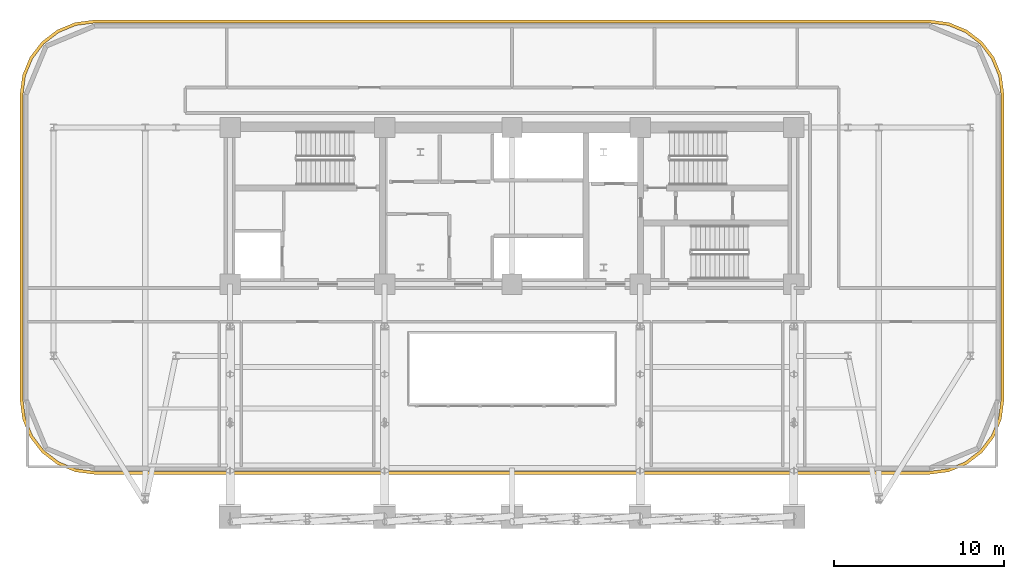
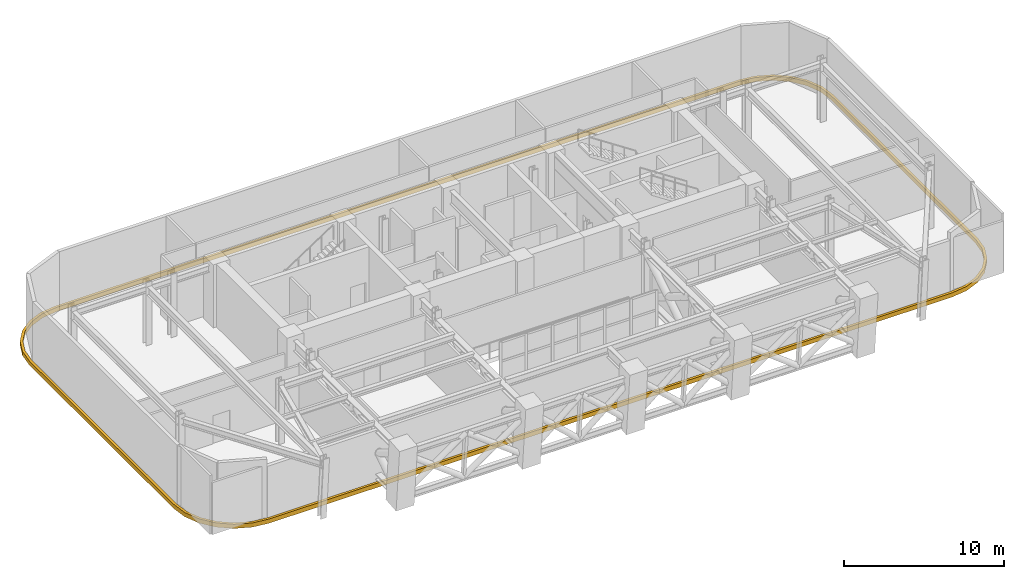
# One storey, part 12 of 13: 1 covering.
"""IFC4 building model written with IfcOpenShell, lengths in metres."""

from ifc_helpers import new_model, si_unit, direction, frame, origin, place, context, subcontext, project, spatial, polyline, outline, extrude, material, type_object, element, save


model = new_model("IFC4")

# Units and contexts
model_context = context("Model", 3, precision=1e-05, world=origin(), true_north=direction((0.0, 1.0)))
body_context = subcontext(model_context, "Body", "Model", "MODEL_VIEW")
ifc_project = project(units=[si_unit("LENGTHUNIT", "METRE"), si_unit("AREAUNIT", "SQUARE_METRE"), si_unit("VOLUMEUNIT", "CUBIC_METRE"), si_unit("PLANEANGLEUNIT", "RADIAN"), si_unit("MASSUNIT", "GRAM", prefix="KILO")], contexts=[model_context])

# Site, building, storey
site_placement = place(None, origin())
site = spatial("IfcSite", under=ifc_project, at=site_placement, CompositionType="ELEMENT")
building_placement = place(site_placement, origin())
building = spatial("IfcBuilding", under=site, at=building_placement, Name="Zarnavel Station Tower", CompositionType="ELEMENT")
storey_placement = place(building_placement, frame((0.0, 0.0, 132.89990234375)))
storey = spatial("IfcBuildingStorey", under=building, at=storey_placement, Name="L36", CompositionType="ELEMENT", Elevation=132.89990234375)

# Covering
ifc_material = material(Name="Precast concrete C45/55 (Pale Travertine Slab Band)", Category="masonry")
covering_type = type_object("IfcCoveringType", Name="COV_TRAVERTINE_BAND", PredefinedType="CLADDING", material=ifc_material)
covering_placement = place(storey_placement, frame((0.0, 0.0, -0.260009765625)))
element("IfcCovering", 1, at=covering_placement, inside=storey, type_object=covering_type, Name="L36 Pale Travertine Slab-Edge Band", PredefinedType="CLADDING", context=body_context, shape_type="SweptSolid", body=[
    extrude(outline(polyline([(53.39990234375, 16.6201171875), (54.53369140625, 16.769287109375), (55.590087890625, 17.206787109375), (56.4970703125, 17.90283203125), (57.193115234375, 18.81005859375), (57.630859375, 19.866455078125), (57.780029296875, 21.0), (57.780029296875, 39.0), (57.630859375, 40.133544921875), (57.193115234375, 41.18994140625), (56.4970703125, 42.09716796875), (55.590087890625, 42.793212890625), (54.53369140625, 43.230712890625), (53.39990234375, 43.3798828125), (4.199951171875, 43.3798828125), (3.06640625, 43.230712890625), (2.010009765625, 42.793212890625), (1.102783203125, 42.09716796875), (0.40673828125, 41.18994140625), (-0.03076171875, 40.133544921875), (-0.179931640625, 39.0), (-0.179931640625, 21.0), (-0.03076171875, 19.866455078125), (0.40673828125, 18.81005859375), (1.102783203125, 17.90283203125), (2.010009765625, 17.206787109375), (3.06640625, 16.769287109375), (4.199951171875, 16.6201171875), (53.39990234375, 16.6201171875)]), holes=[polyline([(53.39990234375, 16.800048828125), (54.487060546875, 16.943115234375), (55.5, 17.36279296875), (56.369873046875, 18.0302734375), (57.037353515625, 18.89990234375), (57.456787109375, 19.9130859375), (57.60009765625, 21.0), (57.60009765625, 39.0), (57.456787109375, 40.0869140625), (57.037353515625, 41.10009765625), (56.369873046875, 41.9697265625), (55.5, 42.63720703125), (54.487060546875, 43.056884765625), (53.39990234375, 43.199951171875), (4.199951171875, 43.199951171875), (3.113037109375, 43.056884765625), (2.10009765625, 42.63720703125), (1.230224609375, 41.9697265625), (0.562744140625, 41.10009765625), (0.14306640625, 40.0869140625), (0.0, 39.0), (0.0, 21.0), (0.14306640625, 19.9130859375), (0.562744140625, 18.89990234375), (1.230224609375, 18.0302734375), (2.10009765625, 17.36279296875), (3.113037109375, 16.943115234375), (4.199951171875, 16.800048828125), (53.39990234375, 16.800048828125)])]), origin(), (0.0, 0.0, 1.0), 0.320068359375),
])

save(model, "model.ifc")
